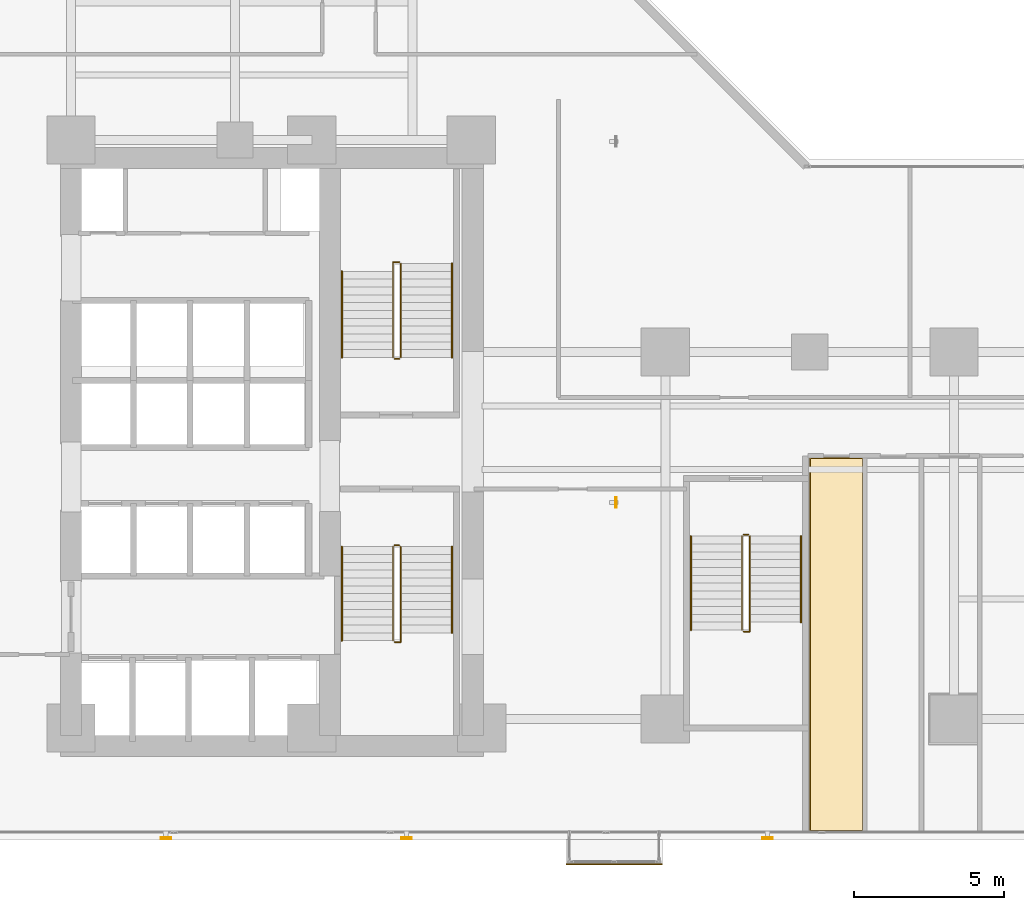
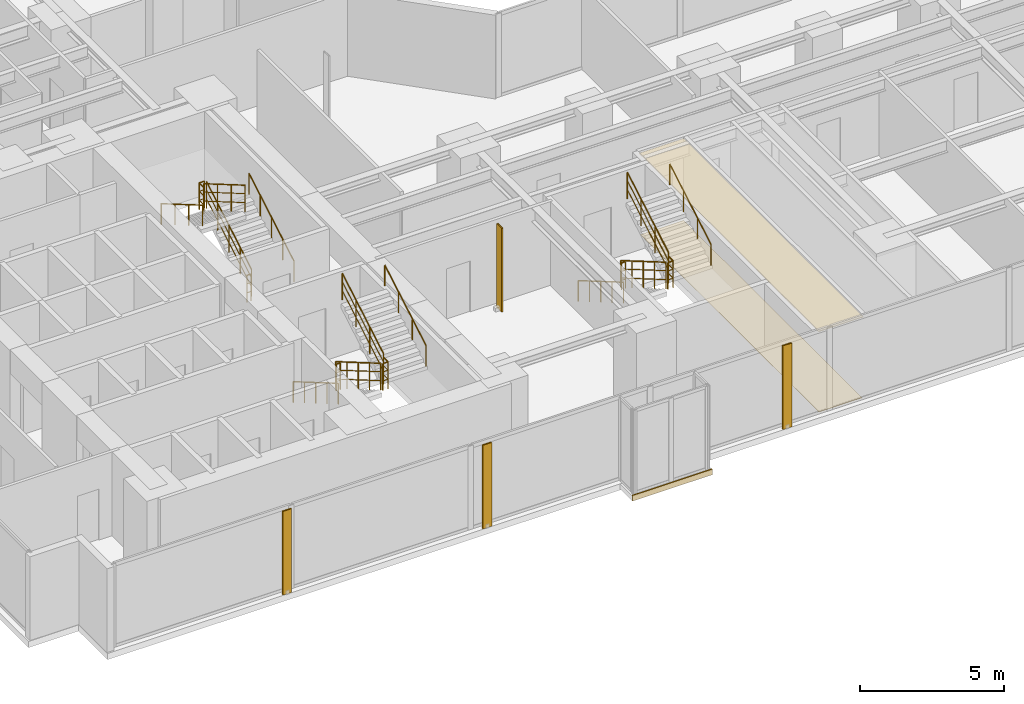
# One storey, part 25 of 27: 18 railings, 4 shading devices, 3 coverings.
"""IFC4 building model written with IfcOpenShell, lengths in metres."""

import ifcopenshell
import ifcopenshell.guid

model = None  # the IFC model being written
_history = None  # IfcOwnerHistory: only IFC2X3 demands one
_inside = {}  # id of a spatial element -> (the spatial element, [elements in it])
_under = {}  # id of a project, library or spatial element -> (it, [spatial elements below it])
_declared = {}  # id of a project -> (the project, [libraries it declares])
_typed = {}  # id of a type object -> (the type object, [elements of that type])
_made_of = {}  # id of a material, layer set ... -> (it, [elements and type objects made of it])


def new_model(schema):
    """Start an empty IFC model of exactly this schema.

    Asked for "IFC4X3", IfcOpenShell would pick the latest addendum, in which some entities
    have other attributes; the version numbers below select the first issue.
    IFC2X3 requires an IfcOwnerHistory on every rooted entity: one is made here for all.
    """
    global model, _history
    if schema == "IFC4X3":
        model = ifcopenshell.file(schema_version=(4, 3, 0, 0))
    else:
        model = ifcopenshell.file(schema=schema)
    _inside.clear()
    _under.clear()
    _declared.clear()
    _typed.clear()
    _made_of.clear()
    _history = None
    if model.schema == "IFC2X3":
        org = make("IfcOrganization", Name="unknown")
        user = make(
            "IfcPersonAndOrganization",
            ThePerson=make("IfcPerson", FamilyName="unknown"),
            TheOrganization=org,
        )
        app = make(
            "IfcApplication",
            ApplicationDeveloper=org,
            Version="unknown",
            ApplicationFullName="unknown",
            ApplicationIdentifier="unknown",
        )
        _history = make(
            "IfcOwnerHistory",
            OwningUser=user,
            OwningApplication=app,
            ChangeAction="ADDED",
            CreationDate=0,
        )
    return model


def make(cls, **values):
    """One entity of the class cls with the attributes given. An attribute that is None is left unset."""
    return model.create_entity(
        cls, **{name: value for name, value in values.items() if value is not None}
    )


def rooted(cls, **values):
    """An entity with a GlobalId (a new one), such as an element, a storey or a relation."""
    return make(cls, GlobalId=ifcopenshell.guid.new(), OwnerHistory=_history, **values)


def si_unit(unit_type, name, prefix=None):
    """IfcSIUnit, for example si_unit("LENGTHUNIT", "METRE", prefix="MILLI")."""
    return make("IfcSIUnit", UnitType=unit_type, Prefix=prefix, Name=name)


def assignment(units):
    """IfcUnitAssignment: the units of a project."""
    return None if units is None else make("IfcUnitAssignment", Units=units)


def point(xyz):
    """IfcCartesianPoint."""
    return None if xyz is None else make("IfcCartesianPoint", Coordinates=xyz)


def direction(xyz):
    """IfcDirection."""
    return None if xyz is None else make("IfcDirection", DirectionRatios=xyz)


def frame(location, z_axis=None, x_axis=None):
    """IfcAxis2Placement3D, a coordinate frame: its origin and axes. An axis left out is left unset."""
    return make(
        "IfcAxis2Placement3D",
        Location=point(location),
        Axis=direction(z_axis),
        RefDirection=direction(x_axis),
    )


def frame_2d(location, x_axis=None):
    """IfcAxis2Placement2D, a coordinate frame in the plane: its origin and x axis."""
    return make(
        "IfcAxis2Placement2D", Location=point(location), RefDirection=direction(x_axis)
    )


def origin():
    """The frame at (0, 0, 0) with its axes left unset."""
    return frame((0.0, 0.0, 0.0))


def origin_2d():
    """The frame at (0, 0) in the plane with its x axis left unset."""
    return frame_2d((0.0, 0.0))


def place(relative_to, where):
    """IfcLocalPlacement: puts the frame where relative to a parent placement (None: the world)."""
    return make(
        "IfcLocalPlacement", PlacementRelTo=relative_to, RelativePlacement=where
    )


def context(
    kind, dimensions, precision=None, world=None, true_north=None, identifier=None
):
    """IfcGeometricRepresentationContext, for example the 3D "Model" context."""
    return make(
        "IfcGeometricRepresentationContext",
        ContextIdentifier=identifier,
        ContextType=kind,
        CoordinateSpaceDimension=dimensions,
        Precision=precision,
        WorldCoordinateSystem=world,
        TrueNorth=true_north,
    )


def subcontext(parent, identifier, kind, view, scale=None):
    """IfcGeometricRepresentationSubContext, for example "Body" below "Model"."""
    return make(
        "IfcGeometricRepresentationSubContext",
        ContextIdentifier=identifier,
        ContextType=kind,
        ParentContext=parent,
        TargetScale=scale,
        TargetView=view,
    )


def project(units=None, contexts=None):
    """IfcProject with its units and contexts."""
    return rooted(
        "IfcProject",
        Name="project",
        RepresentationContexts=contexts,
        UnitsInContext=assignment(units),
    )


def spatial(cls, under=None, at=None, **own):
    """A site, building, storey or space (cls), placed at a placement, below another one or the project."""
    s = rooted(cls, ObjectPlacement=at, **own)
    if under is not None:
        _under.setdefault(under.id(), (under, []))[1].append(s)
    return s


def polyline(points):
    """IfcPolyline through the points."""
    return make("IfcPolyline", Points=[point(p) for p in points])


def profile(cls, at=None, kind="AREA", **sizes):
    """A parametric profile (cls). Its sizes go by their IFC names, for example OverallWidth=200.0."""
    return make(cls, ProfileType=kind, Position=at, **sizes)


def rectangle(**sizes):
    """IfcRectangleProfileDef."""
    return profile("IfcRectangleProfileDef", **sizes)


def hollow_rectangle(**sizes):
    """IfcRectangleHollowProfileDef."""
    return profile("IfcRectangleHollowProfileDef", **sizes)


def circle(**sizes):
    """IfcCircleProfileDef."""
    return profile("IfcCircleProfileDef", **sizes)


def outline(outer, holes=None, kind="AREA"):
    """IfcArbitraryClosedProfileDef: a profile drawn as a closed curve; with holes, ...WithVoids."""
    if holes is None:
        return make("IfcArbitraryClosedProfileDef", ProfileType=kind, OuterCurve=outer)
    return make(
        "IfcArbitraryProfileDefWithVoids",
        ProfileType=kind,
        OuterCurve=outer,
        InnerCurves=holes,
    )


def extrude(swept, where, along, depth):
    """IfcExtrudedAreaSolid: the profile swept, set in the frame where, extruded along a direction by depth."""
    return make(
        "IfcExtrudedAreaSolid",
        SweptArea=swept,
        Position=where,
        ExtrudedDirection=direction(along),
        Depth=depth,
    )


def shape(context_of_items, identifier, shape_type, items):
    """IfcShapeRepresentation: the items that make up one representation, for example the "Body"."""
    return make(
        "IfcShapeRepresentation",
        ContextOfItems=context_of_items,
        RepresentationIdentifier=identifier,
        RepresentationType=shape_type,
        Items=items,
    )


def material(Name=None, Category=None):
    """IfcMaterial."""
    return make("IfcMaterial", Name=Name, Category=Category)


def layer(
    of_material, thickness, ventilated=None, Name=None, Category=None, Priority=None
):
    """IfcMaterialLayer: one layer of a wall or slab, of a material (None: an air gap)."""
    return make(
        "IfcMaterialLayer",
        Material=of_material,
        LayerThickness=thickness,
        IsVentilated=ventilated,
        Name=Name,
        Category=Category,
        Priority=Priority,
    )


def layer_set(layers, Name=None):
    """IfcMaterialLayerSet."""
    return make("IfcMaterialLayerSet", MaterialLayers=layers, LayerSetName=Name)


def material_profile(
    of_material, cross_section, Name=None, Category=None, Priority=None
):
    """IfcMaterialProfile: a cross section and its material."""
    return make(
        "IfcMaterialProfile",
        Name=Name,
        Material=of_material,
        Profile=cross_section,
        Priority=Priority,
        Category=Category,
    )


def profile_set(profiles, Name=None, composite=None):
    """IfcMaterialProfileSet."""
    return make(
        "IfcMaterialProfileSet",
        Name=Name,
        MaterialProfiles=profiles,
        CompositeProfile=composite,
    )


def made_of(thing, what):
    """Note that an element or type object is made of a material, layer set ...; save() writes the relation."""
    if what is not None:
        _made_of.setdefault(what.id(), (what, []))[1].append(thing)
    return thing


def type_object(cls, material=None, **own):
    """A type object (cls), such as IfcWallType, which elements share."""
    return made_of(rooted(cls, **own), material)


def element(
    cls,
    number,
    at=None,
    inside=None,
    cuts=None,
    type_object=None,
    material=None,
    context=None,
    identifier="Body",
    shape_type=None,
    held_by="IfcProductDefinitionShape",
    body=None,
    shapes=None,
    **own,
):
    """One element of the class cls, such as IfcWall. Its Tag is "e" and its number.

    at: its placement. inside: the storey or other place that contains it. cuts: it is an
    opening in that element (IfcRelVoidsElement). A single representation is given by context,
    identifier, shape_type and body (its items); several are given by shapes. held_by: the class
    of the entity that holds the representations. save() writes the other relations.
    """
    e = rooted(cls, Tag="e%d" % number, ObjectPlacement=at, **own)
    if body is not None:
        shapes = [shape(context, identifier, shape_type, body)]
    if shapes is not None:
        e.Representation = make(held_by, Representations=shapes)
    if inside is not None:
        _inside.setdefault(inside.id(), (inside, []))[1].append(e)
    if cuts is not None:
        rooted(
            "IfcRelVoidsElement", RelatingBuildingElement=cuts, RelatedOpeningElement=e
        )
    if type_object is not None:
        _typed.setdefault(type_object.id(), (type_object, []))[1].append(e)
    return made_of(e, material)


def aggregate(whole, parts):
    """IfcRelAggregates: a whole, such as a stair, and the parts it consists of."""
    return rooted("IfcRelAggregates", RelatingObject=whole, RelatedObjects=parts)


def save(model, path):
    """Write the relations noted so far, then the file.

    IfcRelAggregates (storeys below a building ...), IfcRelContainedInSpatialStructure (elements
    in a storey), IfcRelDefinesByType, IfcRelAssociatesMaterial and IfcRelDeclares: one each for
    every whole, place, type object, material and project.
    """
    for whole, parts in _under.values():
        aggregate(whole, parts)
    for where, things in _inside.values():
        rooted(
            "IfcRelContainedInSpatialStructure",
            RelatedElements=things,
            RelatingStructure=where,
        )
    for kind, things in _typed.values():
        rooted("IfcRelDefinesByType", RelatedObjects=things, RelatingType=kind)
    for what, things in _made_of.values():
        rooted("IfcRelAssociatesMaterial", RelatedObjects=things, RelatingMaterial=what)
    for by, libraries in _declared.values():
        rooted("IfcRelDeclares", RelatingContext=by, RelatedDefinitions=libraries)
    model.write(path)


model = new_model("IFC4")

# Units and contexts
model_context = context("Model", 3, precision=1e-05, world=origin(), true_north=direction((0.0, 1.0)))
body_context = subcontext(model_context, "Body", "Model", "MODEL_VIEW")
ifc_project = project(units=[si_unit("LENGTHUNIT", "METRE"), si_unit("AREAUNIT", "SQUARE_METRE"), si_unit("VOLUMEUNIT", "CUBIC_METRE"), si_unit("PLANEANGLEUNIT", "RADIAN"), si_unit("MASSUNIT", "GRAM", prefix="KILO")], contexts=[model_context])

# Site, building, storey
site_placement = place(None, origin())
site = spatial("IfcSite", under=ifc_project, at=site_placement, CompositionType="ELEMENT")
building_placement = place(site_placement, origin())
building = spatial("IfcBuilding", under=site, at=building_placement, Name="Kolvaren Waterfront Exchange", CompositionType="ELEMENT")
storey_placement = place(building_placement, frame((0.0, 0.0, 60.0)))
storey = spatial("IfcBuildingStorey", under=building, at=storey_placement, Name="L15", CompositionType="ELEMENT", Elevation=60.0)

# Coverings
ifc_material_1 = material(Name="Mineral fibre acoustic ceiling tile")
ifc_layer_1 = layer(ifc_material_1, 0.02490234375, Name="Mineral fibre acoustic ceiling tile")
ifc_layer_set_1 = layer_set([ifc_layer_1], Name="Mineral fibre acoustic ceiling tile")
covering_type_1 = type_object("IfcCoveringType", Name="ARC-CEIL-ACOUSTIC-25", PredefinedType="CEILING", material=ifc_layer_set_1)
covering_1_placement = place(storey_placement, frame((0.0, 0.0, 3.425048828125)))
element("IfcCovering", 1, at=covering_1_placement, inside=storey, type_object=covering_type_1, Name="L15 acoustic suspended ceiling 1", PredefinedType="CEILING", context=body_context, shape_type="SweptSolid", body=[
    extrude(outline(polyline([(33.784912109375, 1.465087890625), (33.784912109375, 13.89501953125), (31.9951171875, 13.89501953125), (31.9951171875, 13.35009765625), (32.0, 13.35009765625), (32.0, 4.800048828125), (31.9951171875, 4.800048828125), (31.9951171875, 1.465087890625), (33.784912109375, 1.465087890625)])), origin(), (0.0, 0.0, 1.0), 0.02490234375),
])
ifc_material_2 = material(Name="Anodised bronze fascia aluminium", Category="aluminium")
ifc_layer_2 = layer(ifc_material_2, 0.034912109375, Name="Anodised bronze fascia aluminium")
ifc_layer_set_2 = layer_set([ifc_layer_2], Name="Anodised bronze fascia aluminium")
covering_type_2 = type_object("IfcCoveringType", Name="ARC-CLAD-BRONZE-35", PredefinedType="CLADDING", material=ifc_layer_set_2)
covering_2_placement = place(storey_placement, frame((25.5, 0.3701171875, -0.22021484375), z_axis=(0.0, 0.0, 1.0), x_axis=(1.0, 0.0, 0.0)))
element("IfcCovering", 2, at=covering_2_placement, inside=storey, type_object=covering_type_2, Name="L15 ribbed anodised bronze bay-box fascia", PredefinedType="CLADDING", context=body_context, shape_type="SweptSolid", body=[
    extrude(rectangle(XDim=3.199951171875, YDim=0.034912109375, at=origin_2d()), origin(), (0.0, 0.0, 1.0), 0.239990234375),
])

# Shading devices
ifc_material_3 = material(Name="Anodised bronze aluminium 6063-T6", Category="aluminium")
ifc_material_profile = material_profile(ifc_material_3, hollow_rectangle(XDim=0.06005859375, YDim=0.35009765625, WallThickness=0.0048828125, at=origin_2d()), Name="BRZ-FIN-350x60x5")
ifc_profile_set = profile_set([ifc_material_profile], Name="Anodised bronze aluminium 6063-T6")
shading_device_type = type_object("IfcShadingDeviceType", Name="ARC-FIN-350", PredefinedType="USERDEFINED", material=ifc_profile_set)
for number, where, z_axis, x_axis, name in (
    (3, (10.60009765625, 1.239990234375, 0.0), (0.0, 0.0, 1.0), (0.0, -1.0, 0.0), "L15 anodised bronze solar shading fin FIN-L15-S1"),
    (4, (18.60009765625, 1.239990234375, 0.0), (0.0, 0.0, 1.0), (0.0, -1.0, 0.0), "L15 anodised bronze solar shading fin FIN-L15-S2"),
    (5, (30.60009765625, 1.239990234375, 0.0), (0.0, 0.0, 1.0), (0.0, -1.0, 0.0), "L15 anodised bronze solar shading fin FIN-L15-S3"),
    (6, (25.56005859375, 12.39990234375, 0.0), (0.0, 0.0, 1.0), (1.0, 0.0, 0.0), "L15 anodised bronze solar shading fin FIN-L15-E1"),
):
    element("IfcShadingDevice", number, at=place(storey_placement, frame(where, z_axis=z_axis, x_axis=x_axis)), inside=storey, type_object=shading_device_type, Name=name, ObjectType="SOLAR FIN", PredefinedType="USERDEFINED", context=body_context, shape_type="SweptSolid", body=[
        extrude(hollow_rectangle(XDim=0.06005859375, YDim=0.35009765625, WallThickness=0.0048828125, at=origin_2d()), origin(), (0.0, 0.0, 1.0), 3.5400390625),
    ])

# Covering
ifc_material_4 = material(Name="Slip-resistant porcelain tile")
ifc_layer_3 = layer(ifc_material_4, 0.014892578125, Name="Slip-resistant porcelain tile")
ifc_layer_set_3 = layer_set([ifc_layer_3], Name="Slip-resistant porcelain tile")
covering_type_3 = type_object("IfcCoveringType", Name="ARC-FLR-PORC-15", PredefinedType="FLOORING", material=ifc_layer_set_3)
covering_3_placement = place(storey_placement, origin())
element("IfcCovering", 7, at=covering_3_placement, inside=storey, type_object=covering_type_3, Name="L15 floor finish 1", PredefinedType="FLOORING", context=body_context, shape_type="SweptSolid", body=[
    extrude(outline(polyline([(32.030029296875, 13.860107421875), (32.030029296875, 1.5), (33.75, 1.5), (33.75, 13.860107421875), (32.030029296875, 13.860107421875)])), origin(), (0.0, 0.0, 1.0), 0.014892578125),
])

# Railings
ifc_material_5 = material(Name="Stainless steel 316", Category="steel")
railing_type_1 = type_object("IfcRailingType", Name="ARC-GUARD-STAIR", PredefinedType="GUARDRAIL", material=ifc_material_5)
railing_1_placement = place(storey_placement, frame((18.14990234375, 10.929931640625, 0.152099609375)))
element("IfcRailing", 8, at=railing_1_placement, inside=storey, type_object=railing_type_1, Name="L15 ST1 stair guard 1", PredefinedType="GUARDRAIL", context=body_context, shape_type="SweptSolid", body=[
    extrude(circle(Radius=0.02392578125, at=origin_2d()), frame((0.0, 0.0, 1.1259765625), z_axis=(0.0, -0.86329090724, 0.504706656858), x_axis=(1.0, 0.0, 0.0)), (0.0, 0.0, 1.0), 3.614013671875),
    extrude(circle(Radius=0.01611328125, at=origin_2d()), frame((0.0, 0.0, 0.390869140625), z_axis=(0.0, -0.86329090724, 0.504706656858), x_axis=(1.0, 0.0, 0.0)), (0.0, 0.0, 1.0), 3.614013671875),
    extrude(circle(Radius=0.01611328125, at=origin_2d()), frame((0.0, 0.0, 0.7705078125), z_axis=(0.0, -0.86329090724, 0.504706656858), x_axis=(1.0, 0.0, 0.0)), (0.0, 0.0, 1.0), 3.614013671875),
    extrude(circle(Radius=0.02099609375, at=origin_2d()), origin(), (0.0, 0.0, 1.0), 1.101806640625),
    extrude(circle(Radius=0.02099609375, at=origin_2d()), frame((0.0, -0.780029296875, 0.4560546875)), (0.0, 0.0, 1.0), 1.101806640625),
    extrude(circle(Radius=0.02099609375, at=origin_2d()), frame((0.0, -1.56005859375, 0.912109375)), (0.0, 0.0, 1.0), 1.101806640625),
    extrude(circle(Radius=0.02099609375, at=origin_2d()), frame((0.0, -2.33984375, 1.367919921875)), (0.0, 0.0, 1.0), 1.101806640625),
    extrude(circle(Radius=0.02099609375, at=origin_2d()), frame((0.0, -3.119873046875, 1.823974609375)), (0.0, 0.0, 1.0), 1.101806640625),
])
railing_2_placement = place(storey_placement, frame((18.199951171875, 7.760009765625, 1.97607421875)))
element("IfcRailing", 9, at=railing_2_placement, inside=storey, type_object=railing_type_1, Name="L15 ST1 stair guard 2", PredefinedType="GUARDRAIL", context=body_context, shape_type="SweptSolid", body=[
    extrude(circle(Radius=0.02392578125, at=origin_2d()), frame((0.0, 0.0, 1.1259765625), z_axis=(1.0, 0.0, 0.0), x_axis=(0.0, 1.0, 0.0)), (0.0, 0.0, 1.0), 0.2099609375),
    extrude(circle(Radius=0.01611328125, at=origin_2d()), frame((0.0, 0.0, 0.390869140625), z_axis=(1.0, 0.0, 0.0), x_axis=(0.0, 1.0, 0.0)), (0.0, 0.0, 1.0), 0.2099609375),
    extrude(circle(Radius=0.01611328125, at=origin_2d()), frame((0.0, 0.0, 0.7705078125), z_axis=(1.0, 0.0, 0.0), x_axis=(0.0, 1.0, 0.0)), (0.0, 0.0, 1.0), 0.2099609375),
    extrude(circle(Radius=0.02392578125, at=origin_2d()), frame((0.2099609375, 0.0, 1.1259765625), z_axis=(0.0, 1.0, 0.0), x_axis=(-1.0, 0.0, 0.0)), (0.0, 0.0, 1.0), 0.31005859375),
    extrude(circle(Radius=0.01611328125, at=origin_2d()), frame((0.2099609375, 0.0, 0.390869140625), z_axis=(0.0, 1.0, 0.0), x_axis=(-1.0, 0.0, 0.0)), (0.0, 0.0, 1.0), 0.31005859375),
    extrude(circle(Radius=0.01611328125, at=origin_2d()), frame((0.2099609375, 0.0, 0.7705078125), z_axis=(0.0, 1.0, 0.0), x_axis=(-1.0, 0.0, 0.0)), (0.0, 0.0, 1.0), 0.31005859375),
    extrude(circle(Radius=0.02099609375, at=origin_2d()), origin(), (0.0, 0.0, 1.0), 1.101806640625),
    extrude(circle(Radius=0.02099609375, at=origin_2d()), frame((0.2099609375, 0.0, 0.0)), (0.0, 0.0, 1.0), 1.101806640625),
    extrude(circle(Radius=0.02099609375, at=origin_2d()), frame((0.2099609375, 0.31005859375, 0.0)), (0.0, 0.0, 1.0), 1.101806640625),
])
railing_3_placement = place(storey_placement, frame((18.409912109375, 8.070068359375, 2.1279296875)))
element("IfcRailing", 10, at=railing_3_placement, inside=storey, type_object=railing_type_1, Name="L15 ST1 stair guard 3", PredefinedType="GUARDRAIL", context=body_context, shape_type="SweptSolid", body=[
    extrude(circle(Radius=0.02392578125, at=origin_2d()), frame((0.0, 0.0, 1.1259765625), z_axis=(0.0, 0.863270611444, 0.50474137082), x_axis=(-1.0, 0.0, 0.0)), (0.0, 0.0, 1.0), 3.312744140625),
    extrude(circle(Radius=0.01611328125, at=origin_2d()), frame((0.0, 0.0, 0.390869140625), z_axis=(0.0, 0.863270611444, 0.50474137082), x_axis=(-1.0, 0.0, 0.0)), (0.0, 0.0, 1.0), 3.312744140625),
    extrude(circle(Radius=0.01611328125, at=origin_2d()), frame((0.0, 0.0, 0.7705078125), z_axis=(0.0, 0.863270611444, 0.50474137082), x_axis=(-1.0, 0.0, 0.0)), (0.0, 0.0, 1.0), 3.312744140625),
    extrude(circle(Radius=0.02099609375, at=origin_2d()), origin(), (0.0, 0.0, 1.0), 1.101806640625),
    extrude(circle(Radius=0.02099609375, at=origin_2d()), frame((0.0, 0.953369140625, 0.557373046875)), (0.0, 0.0, 1.0), 1.101806640625),
    extrude(circle(Radius=0.02099609375, at=origin_2d()), frame((0.0, 1.906494140625, 1.11474609375)), (0.0, 0.0, 1.0), 1.101806640625),
    extrude(circle(Radius=0.02099609375, at=origin_2d()), frame((0.0, 2.85986328125, 1.672119140625)), (0.0, 0.0, 1.0), 1.101806640625),
])
railing_4_placement = place(storey_placement, frame((18.199951171875, 10.97998046875, 0.0)))
element("IfcRailing", 11, at=railing_4_placement, inside=storey, type_object=railing_type_1, Name="L15 ST1 stair guard 4", PredefinedType="GUARDRAIL", context=body_context, shape_type="SweptSolid", body=[
    extrude(circle(Radius=0.02392578125, at=origin_2d()), frame((0.0, 0.0, 1.1259765625), z_axis=(1.0, 0.0, 0.0), x_axis=(0.0, 1.0, 0.0)), (0.0, 0.0, 1.0), 0.16015625),
    extrude(circle(Radius=0.01611328125, at=origin_2d()), frame((0.0, 0.0, 0.390869140625), z_axis=(1.0, 0.0, 0.0), x_axis=(0.0, 1.0, 0.0)), (0.0, 0.0, 1.0), 0.16015625),
    extrude(circle(Radius=0.01611328125, at=origin_2d()), frame((0.0, 0.0, 0.7705078125), z_axis=(1.0, 0.0, 0.0), x_axis=(0.0, 1.0, 0.0)), (0.0, 0.0, 1.0), 0.16015625),
    extrude(circle(Radius=0.02099609375, at=origin_2d()), origin(), (0.0, 0.0, 1.0), 1.101806640625),
    extrude(circle(Radius=0.02099609375, at=origin_2d()), frame((0.16015625, 0.0, 0.0)), (0.0, 0.0, 1.0), 1.101806640625),
])
railing_5_placement = place(storey_placement, frame((18.409912109375, 17.219970703125, 0.152099609375)))
element("IfcRailing", 12, at=railing_5_placement, inside=storey, type_object=railing_type_1, Name="L15 ST2 stair guard 1", PredefinedType="GUARDRAIL", context=body_context, shape_type="SweptSolid", body=[
    extrude(circle(Radius=0.02392578125, at=origin_2d()), frame((0.0, 0.0, 1.1259765625), z_axis=(0.0, 0.86330811405, 0.504677223793), x_axis=(-1.0, 0.0, 0.0)), (0.0, 0.0, 1.0), 3.6142578125),
    extrude(circle(Radius=0.01611328125, at=origin_2d()), frame((0.0, 0.0, 0.390869140625), z_axis=(0.0, 0.86330811405, 0.504677223793), x_axis=(-1.0, 0.0, 0.0)), (0.0, 0.0, 1.0), 3.6142578125),
    extrude(circle(Radius=0.01611328125, at=origin_2d()), frame((0.0, 0.0, 0.7705078125), z_axis=(0.0, 0.86330811405, 0.504677223793), x_axis=(-1.0, 0.0, 0.0)), (0.0, 0.0, 1.0), 3.6142578125),
    extrude(circle(Radius=0.02099609375, at=origin_2d()), origin(), (0.0, 0.0, 1.0), 1.101806640625),
    extrude(circle(Radius=0.02099609375, at=origin_2d()), frame((0.0, 0.780029296875, 0.4560546875)), (0.0, 0.0, 1.0), 1.101806640625),
    extrude(circle(Radius=0.02099609375, at=origin_2d()), frame((0.0, 1.56005859375, 0.912109375)), (0.0, 0.0, 1.0), 1.101806640625),
    extrude(circle(Radius=0.02099609375, at=origin_2d()), frame((0.0, 2.340087890625, 1.367919921875)), (0.0, 0.0, 1.0), 1.101806640625),
    extrude(circle(Radius=0.02099609375, at=origin_2d()), frame((0.0, 3.1201171875, 1.823974609375)), (0.0, 0.0, 1.0), 1.101806640625),
])
railing_6_placement = place(storey_placement, frame((18.360107421875, 20.389892578125, 1.97607421875)))
element("IfcRailing", 13, at=railing_6_placement, inside=storey, type_object=railing_type_1, Name="L15 ST2 stair guard 2", PredefinedType="GUARDRAIL", context=body_context, shape_type="SweptSolid", body=[
    extrude(circle(Radius=0.02392578125, at=origin_2d()), frame((0.0, 0.0, 1.1259765625), z_axis=(-1.0, 0.0, 0.0), x_axis=(0.0, -1.0, 0.0)), (0.0, 0.0, 1.0), 0.210205078125),
    extrude(circle(Radius=0.01611328125, at=origin_2d()), frame((0.0, 0.0, 0.390869140625), z_axis=(-1.0, 0.0, 0.0), x_axis=(0.0, -1.0, 0.0)), (0.0, 0.0, 1.0), 0.210205078125),
    extrude(circle(Radius=0.01611328125, at=origin_2d()), frame((0.0, 0.0, 0.7705078125), z_axis=(-1.0, 0.0, 0.0), x_axis=(0.0, -1.0, 0.0)), (0.0, 0.0, 1.0), 0.210205078125),
    extrude(circle(Radius=0.02392578125, at=origin_2d()), frame((-0.210205078125, 0.0, 1.1259765625), z_axis=(0.0, -1.0, 0.0), x_axis=(1.0, 0.0, 0.0)), (0.0, 0.0, 1.0), 0.309814453125),
    extrude(circle(Radius=0.01611328125, at=origin_2d()), frame((-0.210205078125, 0.0, 0.390869140625), z_axis=(0.0, -1.0, 0.0), x_axis=(1.0, 0.0, 0.0)), (0.0, 0.0, 1.0), 0.309814453125),
    extrude(circle(Radius=0.01611328125, at=origin_2d()), frame((-0.210205078125, 0.0, 0.7705078125), z_axis=(0.0, -1.0, 0.0), x_axis=(1.0, 0.0, 0.0)), (0.0, 0.0, 1.0), 0.309814453125),
    extrude(circle(Radius=0.02099609375, at=origin_2d()), origin(), (0.0, 0.0, 1.0), 1.101806640625),
    extrude(circle(Radius=0.02099609375, at=origin_2d()), frame((-0.210205078125, 0.0, 0.0)), (0.0, 0.0, 1.0), 1.101806640625),
    extrude(circle(Radius=0.02099609375, at=origin_2d()), frame((-0.210205078125, -0.309814453125, 0.0)), (0.0, 0.0, 1.0), 1.101806640625),
])
railing_7_placement = place(storey_placement, frame((18.14990234375, 20.080078125, 2.1279296875)))
element("IfcRailing", 14, at=railing_7_placement, inside=storey, type_object=railing_type_1, Name="L15 ST2 stair guard 3", PredefinedType="GUARDRAIL", context=body_context, shape_type="SweptSolid", body=[
    extrude(circle(Radius=0.02392578125, at=origin_2d()), frame((0.0, 0.0, 1.1259765625), z_axis=(0.0, -0.863289384635, 0.504709261235), x_axis=(1.0, 0.0, 0.0)), (0.0, 0.0, 1.0), 3.31298828125),
    extrude(circle(Radius=0.01611328125, at=origin_2d()), frame((0.0, 0.0, 0.390869140625), z_axis=(0.0, -0.863289384635, 0.504709261235), x_axis=(1.0, 0.0, 0.0)), (0.0, 0.0, 1.0), 3.31298828125),
    extrude(circle(Radius=0.01611328125, at=origin_2d()), frame((0.0, 0.0, 0.7705078125), z_axis=(0.0, -0.863289384635, 0.504709261235), x_axis=(1.0, 0.0, 0.0)), (0.0, 0.0, 1.0), 3.31298828125),
    extrude(circle(Radius=0.02099609375, at=origin_2d()), origin(), (0.0, 0.0, 1.0), 1.101806640625),
    extrude(circle(Radius=0.02099609375, at=origin_2d()), frame((0.0, -0.953369140625, 0.557373046875)), (0.0, 0.0, 1.0), 1.101806640625),
    extrude(circle(Radius=0.02099609375, at=origin_2d()), frame((0.0, -1.90673828125, 1.11474609375)), (0.0, 0.0, 1.0), 1.101806640625),
    extrude(circle(Radius=0.02099609375, at=origin_2d()), frame((0.0, -2.860107421875, 1.672119140625)), (0.0, 0.0, 1.0), 1.101806640625),
])
railing_8_placement = place(storey_placement, frame((18.360107421875, 17.169921875, 0.0)))
element("IfcRailing", 15, at=railing_8_placement, inside=storey, type_object=railing_type_1, Name="L15 ST2 stair guard 4", PredefinedType="GUARDRAIL", context=body_context, shape_type="SweptSolid", body=[
    extrude(circle(Radius=0.02392578125, at=origin_2d()), frame((0.0, 0.0, 1.1259765625), z_axis=(-1.0, 0.0, 0.0), x_axis=(0.0, -1.0, 0.0)), (0.0, 0.0, 1.0), 0.16015625),
    extrude(circle(Radius=0.01611328125, at=origin_2d()), frame((0.0, 0.0, 0.390869140625), z_axis=(-1.0, 0.0, 0.0), x_axis=(0.0, -1.0, 0.0)), (0.0, 0.0, 1.0), 0.16015625),
    extrude(circle(Radius=0.01611328125, at=origin_2d()), frame((0.0, 0.0, 0.7705078125), z_axis=(-1.0, 0.0, 0.0), x_axis=(0.0, -1.0, 0.0)), (0.0, 0.0, 1.0), 0.16015625),
    extrude(circle(Radius=0.02099609375, at=origin_2d()), origin(), (0.0, 0.0, 1.0), 1.101806640625),
    extrude(circle(Radius=0.02099609375, at=origin_2d()), frame((-0.16015625, 0.0, 0.0)), (0.0, 0.0, 1.0), 1.101806640625),
])
railing_9_placement = place(storey_placement, frame((29.75, 11.280029296875, 0.152099609375)))
element("IfcRailing", 16, at=railing_9_placement, inside=storey, type_object=railing_type_1, Name="L15 ST3 stair guard 1", PredefinedType="GUARDRAIL", context=body_context, shape_type="SweptSolid", body=[
    extrude(circle(Radius=0.02392578125, at=origin_2d()), frame((0.0, 0.0, 1.1259765625), z_axis=(0.0, -0.86330811405, 0.504677223793), x_axis=(1.0, 0.0, 0.0)), (0.0, 0.0, 1.0), 3.6142578125),
    extrude(circle(Radius=0.01611328125, at=origin_2d()), frame((0.0, 0.0, 0.390869140625), z_axis=(0.0, -0.86330811405, 0.504677223793), x_axis=(1.0, 0.0, 0.0)), (0.0, 0.0, 1.0), 3.6142578125),
    extrude(circle(Radius=0.01611328125, at=origin_2d()), frame((0.0, 0.0, 0.7705078125), z_axis=(0.0, -0.86330811405, 0.504677223793), x_axis=(1.0, 0.0, 0.0)), (0.0, 0.0, 1.0), 3.6142578125),
    extrude(circle(Radius=0.02099609375, at=origin_2d()), origin(), (0.0, 0.0, 1.0), 1.101806640625),
    extrude(circle(Radius=0.02099609375, at=origin_2d()), frame((0.0, -0.780029296875, 0.4560546875)), (0.0, 0.0, 1.0), 1.101806640625),
    extrude(circle(Radius=0.02099609375, at=origin_2d()), frame((0.0, -1.56005859375, 0.912109375)), (0.0, 0.0, 1.0), 1.101806640625),
    extrude(circle(Radius=0.02099609375, at=origin_2d()), frame((0.0, -2.340087890625, 1.367919921875)), (0.0, 0.0, 1.0), 1.101806640625),
    extrude(circle(Radius=0.02099609375, at=origin_2d()), frame((0.0, -3.1201171875, 1.823974609375)), (0.0, 0.0, 1.0), 1.101806640625),
])
railing_10_placement = place(storey_placement, frame((29.800048828125, 8.110107421875, 1.97607421875)))
element("IfcRailing", 17, at=railing_10_placement, inside=storey, type_object=railing_type_1, Name="L15 ST3 stair guard 2", PredefinedType="GUARDRAIL", context=body_context, shape_type="SweptSolid", body=[
    extrude(circle(Radius=0.02392578125, at=origin_2d()), frame((0.0, 0.0, 1.1259765625), z_axis=(1.0, 0.0, 0.0), x_axis=(0.0, 1.0, 0.0)), (0.0, 0.0, 1.0), 0.2099609375),
    extrude(circle(Radius=0.01611328125, at=origin_2d()), frame((0.0, 0.0, 0.390869140625), z_axis=(1.0, 0.0, 0.0), x_axis=(0.0, 1.0, 0.0)), (0.0, 0.0, 1.0), 0.2099609375),
    extrude(circle(Radius=0.01611328125, at=origin_2d()), frame((0.0, 0.0, 0.7705078125), z_axis=(1.0, 0.0, 0.0), x_axis=(0.0, 1.0, 0.0)), (0.0, 0.0, 1.0), 0.2099609375),
    extrude(circle(Radius=0.02392578125, at=origin_2d()), frame((0.2099609375, 0.0, 1.1259765625), z_axis=(0.0, 1.0, 0.0), x_axis=(-1.0, 0.0, 0.0)), (0.0, 0.0, 1.0), 0.309814453125),
    extrude(circle(Radius=0.01611328125, at=origin_2d()), frame((0.2099609375, 0.0, 0.390869140625), z_axis=(0.0, 1.0, 0.0), x_axis=(-1.0, 0.0, 0.0)), (0.0, 0.0, 1.0), 0.309814453125),
    extrude(circle(Radius=0.01611328125, at=origin_2d()), frame((0.2099609375, 0.0, 0.7705078125), z_axis=(0.0, 1.0, 0.0), x_axis=(-1.0, 0.0, 0.0)), (0.0, 0.0, 1.0), 0.309814453125),
    extrude(circle(Radius=0.02099609375, at=origin_2d()), origin(), (0.0, 0.0, 1.0), 1.101806640625),
    extrude(circle(Radius=0.02099609375, at=origin_2d()), frame((0.2099609375, 0.0, 0.0)), (0.0, 0.0, 1.0), 1.101806640625),
    extrude(circle(Radius=0.02099609375, at=origin_2d()), frame((0.2099609375, 0.309814453125, 0.0)), (0.0, 0.0, 1.0), 1.101806640625),
])
railing_11_placement = place(storey_placement, frame((30.010009765625, 8.419921875, 2.1279296875)))
element("IfcRailing", 18, at=railing_11_placement, inside=storey, type_object=railing_type_1, Name="L15 ST3 stair guard 3", PredefinedType="GUARDRAIL", context=body_context, shape_type="SweptSolid", body=[
    extrude(circle(Radius=0.02392578125, at=origin_2d()), frame((0.0, 0.0, 1.1259765625), z_axis=(0.0, 0.863289384635, 0.504709261235), x_axis=(-1.0, 0.0, 0.0)), (0.0, 0.0, 1.0), 3.31298828125),
    extrude(circle(Radius=0.01611328125, at=origin_2d()), frame((0.0, 0.0, 0.390869140625), z_axis=(0.0, 0.863289384635, 0.504709261235), x_axis=(-1.0, 0.0, 0.0)), (0.0, 0.0, 1.0), 3.31298828125),
    extrude(circle(Radius=0.01611328125, at=origin_2d()), frame((0.0, 0.0, 0.7705078125), z_axis=(0.0, 0.863289384635, 0.504709261235), x_axis=(-1.0, 0.0, 0.0)), (0.0, 0.0, 1.0), 3.31298828125),
    extrude(circle(Radius=0.02099609375, at=origin_2d()), origin(), (0.0, 0.0, 1.0), 1.101806640625),
    extrude(circle(Radius=0.02099609375, at=origin_2d()), frame((0.0, 0.953369140625, 0.557373046875)), (0.0, 0.0, 1.0), 1.101806640625),
    extrude(circle(Radius=0.02099609375, at=origin_2d()), frame((0.0, 1.90673828125, 1.11474609375)), (0.0, 0.0, 1.0), 1.101806640625),
    extrude(circle(Radius=0.02099609375, at=origin_2d()), frame((0.0, 2.860107421875, 1.672119140625)), (0.0, 0.0, 1.0), 1.101806640625),
])
railing_12_placement = place(storey_placement, frame((29.800048828125, 11.330078125, 0.0)))
element("IfcRailing", 19, at=railing_12_placement, inside=storey, type_object=railing_type_1, Name="L15 ST3 stair guard 4", PredefinedType="GUARDRAIL", context=body_context, shape_type="SweptSolid", body=[
    extrude(circle(Radius=0.02392578125, at=origin_2d()), frame((0.0, 0.0, 1.1259765625), z_axis=(1.0, 0.0, 0.0), x_axis=(0.0, 1.0, 0.0)), (0.0, 0.0, 1.0), 0.159912109375),
    extrude(circle(Radius=0.01611328125, at=origin_2d()), frame((0.0, 0.0, 0.390869140625), z_axis=(1.0, 0.0, 0.0), x_axis=(0.0, 1.0, 0.0)), (0.0, 0.0, 1.0), 0.159912109375),
    extrude(circle(Radius=0.01611328125, at=origin_2d()), frame((0.0, 0.0, 0.7705078125), z_axis=(1.0, 0.0, 0.0), x_axis=(0.0, 1.0, 0.0)), (0.0, 0.0, 1.0), 0.159912109375),
    extrude(circle(Radius=0.02099609375, at=origin_2d()), origin(), (0.0, 0.0, 1.0), 1.101806640625),
    extrude(circle(Radius=0.02099609375, at=origin_2d()), frame((0.159912109375, 0.0, 0.0)), (0.0, 0.0, 1.0), 1.101806640625),
])
railing_type_2 = type_object("IfcRailingType", Name="ARC-HANDRAIL-900", PredefinedType="HANDRAIL", material=ifc_material_5)
railing_13_placement = place(storey_placement, frame((16.449951171875, 10.929931640625, 0.152099609375)))
element("IfcRailing", 20, at=railing_13_placement, inside=storey, type_object=railing_type_2, Name="L15 ST1 stair handrail 1", PredefinedType="HANDRAIL", context=body_context, shape_type="SweptSolid", body=[
    extrude(circle(Radius=0.02392578125, at=origin_2d()), frame((0.0, 0.0, 0.8759765625), z_axis=(0.0, -0.86329090724, 0.504706656858), x_axis=(1.0, 0.0, 0.0)), (0.0, 0.0, 1.0), 3.614013671875),
    extrude(circle(Radius=0.02099609375, at=origin_2d()), origin(), (0.0, 0.0, 1.0), 0.851806640625),
    extrude(circle(Radius=0.02099609375, at=origin_2d()), frame((0.0, -0.780029296875, 0.4560546875)), (0.0, 0.0, 1.0), 0.851806640625),
    extrude(circle(Radius=0.02099609375, at=origin_2d()), frame((0.0, -1.56005859375, 0.912109375)), (0.0, 0.0, 1.0), 0.851806640625),
    extrude(circle(Radius=0.02099609375, at=origin_2d()), frame((0.0, -2.33984375, 1.367919921875)), (0.0, 0.0, 1.0), 0.851806640625),
    extrude(circle(Radius=0.02099609375, at=origin_2d()), frame((0.0, -3.119873046875, 1.823974609375)), (0.0, 0.0, 1.0), 0.851806640625),
])
railing_14_placement = place(storey_placement, frame((20.110107421875, 8.070068359375, 2.1279296875)))
element("IfcRailing", 21, at=railing_14_placement, inside=storey, type_object=railing_type_2, Name="L15 ST1 stair handrail 2", PredefinedType="HANDRAIL", context=body_context, shape_type="SweptSolid", body=[
    extrude(circle(Radius=0.02392578125, at=origin_2d()), frame((0.0, 0.0, 0.8759765625), z_axis=(0.0, 0.863270611444, 0.50474137082), x_axis=(-1.0, 0.0, 0.0)), (0.0, 0.0, 1.0), 3.312744140625),
    extrude(circle(Radius=0.02099609375, at=origin_2d()), origin(), (0.0, 0.0, 1.0), 0.851806640625),
    extrude(circle(Radius=0.02099609375, at=origin_2d()), frame((0.0, 0.953369140625, 0.557373046875)), (0.0, 0.0, 1.0), 0.851806640625),
    extrude(circle(Radius=0.02099609375, at=origin_2d()), frame((0.0, 1.906494140625, 1.11474609375)), (0.0, 0.0, 1.0), 0.851806640625),
    extrude(circle(Radius=0.02099609375, at=origin_2d()), frame((0.0, 2.85986328125, 1.672119140625)), (0.0, 0.0, 1.0), 0.851806640625),
])
railing_15_placement = place(storey_placement, frame((20.110107421875, 17.219970703125, 0.152099609375)))
element("IfcRailing", 22, at=railing_15_placement, inside=storey, type_object=railing_type_2, Name="L15 ST2 stair handrail 1", PredefinedType="HANDRAIL", context=body_context, shape_type="SweptSolid", body=[
    extrude(circle(Radius=0.02392578125, at=origin_2d()), frame((0.0, 0.0, 0.8759765625), z_axis=(0.0, 0.86330811405, 0.504677223793), x_axis=(-1.0, 0.0, 0.0)), (0.0, 0.0, 1.0), 3.6142578125),
    extrude(circle(Radius=0.02099609375, at=origin_2d()), origin(), (0.0, 0.0, 1.0), 0.851806640625),
    extrude(circle(Radius=0.02099609375, at=origin_2d()), frame((0.0, 0.780029296875, 0.4560546875)), (0.0, 0.0, 1.0), 0.851806640625),
    extrude(circle(Radius=0.02099609375, at=origin_2d()), frame((0.0, 1.56005859375, 0.912109375)), (0.0, 0.0, 1.0), 0.851806640625),
    extrude(circle(Radius=0.02099609375, at=origin_2d()), frame((0.0, 2.340087890625, 1.367919921875)), (0.0, 0.0, 1.0), 0.851806640625),
    extrude(circle(Radius=0.02099609375, at=origin_2d()), frame((0.0, 3.1201171875, 1.823974609375)), (0.0, 0.0, 1.0), 0.851806640625),
])
railing_16_placement = place(storey_placement, frame((16.449951171875, 20.080078125, 2.1279296875)))
element("IfcRailing", 23, at=railing_16_placement, inside=storey, type_object=railing_type_2, Name="L15 ST2 stair handrail 2", PredefinedType="HANDRAIL", context=body_context, shape_type="SweptSolid", body=[
    extrude(circle(Radius=0.02392578125, at=origin_2d()), frame((0.0, 0.0, 0.8759765625), z_axis=(0.0, -0.863289384635, 0.504709261235), x_axis=(1.0, 0.0, 0.0)), (0.0, 0.0, 1.0), 3.31298828125),
    extrude(circle(Radius=0.02099609375, at=origin_2d()), origin(), (0.0, 0.0, 1.0), 0.851806640625),
    extrude(circle(Radius=0.02099609375, at=origin_2d()), frame((0.0, -0.953369140625, 0.557373046875)), (0.0, 0.0, 1.0), 0.851806640625),
    extrude(circle(Radius=0.02099609375, at=origin_2d()), frame((0.0, -1.90673828125, 1.11474609375)), (0.0, 0.0, 1.0), 0.851806640625),
    extrude(circle(Radius=0.02099609375, at=origin_2d()), frame((0.0, -2.860107421875, 1.672119140625)), (0.0, 0.0, 1.0), 0.851806640625),
])
railing_17_placement = place(storey_placement, frame((28.050048828125, 11.280029296875, 0.152099609375)))
element("IfcRailing", 24, at=railing_17_placement, inside=storey, type_object=railing_type_2, Name="L15 ST3 stair handrail 1", PredefinedType="HANDRAIL", context=body_context, shape_type="SweptSolid", body=[
    extrude(circle(Radius=0.02392578125, at=origin_2d()), frame((0.0, 0.0, 0.8759765625), z_axis=(0.0, -0.86330811405, 0.504677223793), x_axis=(1.0, 0.0, 0.0)), (0.0, 0.0, 1.0), 3.6142578125),
    extrude(circle(Radius=0.02099609375, at=origin_2d()), origin(), (0.0, 0.0, 1.0), 0.851806640625),
    extrude(circle(Radius=0.02099609375, at=origin_2d()), frame((0.0, -0.780029296875, 0.4560546875)), (0.0, 0.0, 1.0), 0.851806640625),
    extrude(circle(Radius=0.02099609375, at=origin_2d()), frame((0.0, -1.56005859375, 0.912109375)), (0.0, 0.0, 1.0), 0.851806640625),
    extrude(circle(Radius=0.02099609375, at=origin_2d()), frame((0.0, -2.340087890625, 1.367919921875)), (0.0, 0.0, 1.0), 0.851806640625),
    extrude(circle(Radius=0.02099609375, at=origin_2d()), frame((0.0, -3.1201171875, 1.823974609375)), (0.0, 0.0, 1.0), 0.851806640625),
])
railing_18_placement = place(storey_placement, frame((31.7099609375, 8.419921875, 2.1279296875)))
element("IfcRailing", 25, at=railing_18_placement, inside=storey, type_object=railing_type_2, Name="L15 ST3 stair handrail 2", PredefinedType="HANDRAIL", context=body_context, shape_type="SweptSolid", body=[
    extrude(circle(Radius=0.02392578125, at=origin_2d()), frame((0.0, 0.0, 0.8759765625), z_axis=(0.0, 0.863289384635, 0.504709261235), x_axis=(-1.0, 0.0, 0.0)), (0.0, 0.0, 1.0), 3.31298828125),
    extrude(circle(Radius=0.02099609375, at=origin_2d()), origin(), (0.0, 0.0, 1.0), 0.851806640625),
    extrude(circle(Radius=0.02099609375, at=origin_2d()), frame((0.0, 0.953369140625, 0.557373046875)), (0.0, 0.0, 1.0), 0.851806640625),
    extrude(circle(Radius=0.02099609375, at=origin_2d()), frame((0.0, 1.90673828125, 1.11474609375)), (0.0, 0.0, 1.0), 0.851806640625),
    extrude(circle(Radius=0.02099609375, at=origin_2d()), frame((0.0, 2.860107421875, 1.672119140625)), (0.0, 0.0, 1.0), 0.851806640625),
])

save(model, "model.ifc")
